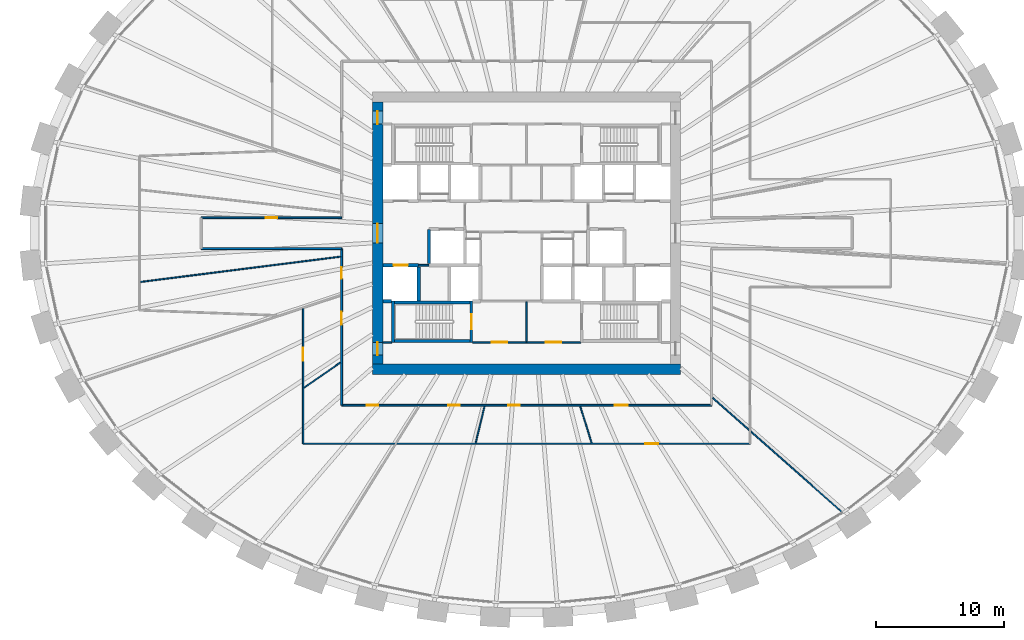
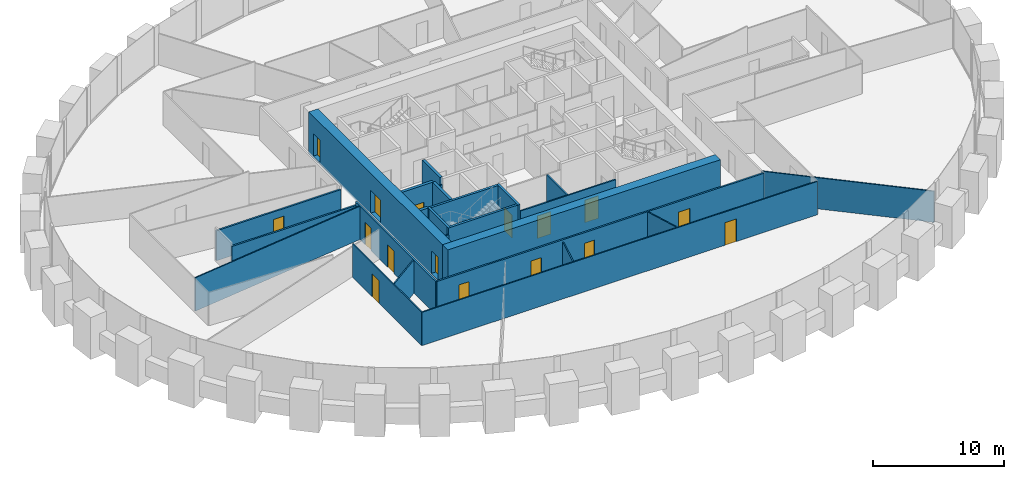
# One storey, part 6 of 11: 25 walls, 16 doors, 16 openings.
"""IFC4 building model written with IfcOpenShell, lengths in metres."""

from ifc_helpers import new_model, si_unit, direction, frame, frame_2d, origin, place, context, subcontext, project, spatial, rectangle, extrude, source, transform, mapped, material, layer, layer_set, type_object, element, fill, save


model = new_model("IFC4")

# Units and contexts
model_context = context("Model", 3, precision=1e-05, world=origin(), true_north=direction((0.0, 1.0)))
body_context = subcontext(model_context, "Body", "Model", "MODEL_VIEW")
ifc_project = project(units=[si_unit("LENGTHUNIT", "METRE"), si_unit("AREAUNIT", "SQUARE_METRE"), si_unit("VOLUMEUNIT", "CUBIC_METRE"), si_unit("PLANEANGLEUNIT", "RADIAN"), si_unit("MASSUNIT", "GRAM", prefix="KILO")], contexts=[model_context])

# Site, building, storey
site_placement = place(None, origin())
site = spatial("IfcSite", under=ifc_project, at=site_placement, CompositionType="ELEMENT")
building_placement = place(site_placement, origin())
building = spatial("IfcBuilding", under=site, at=building_placement, Name="Embergate Tower", CompositionType="ELEMENT")
storey_placement = place(building_placement, frame((0.0, 0.0, 139.800048828125)))
storey = spatial("IfcBuildingStorey", under=building, at=storey_placement, Name="L30", CompositionType="ELEMENT", Elevation=139.800048828125)

# Wall
ifc_material_1 = material(Name="Concrete C70", Category="concrete")
ifc_layer_1 = layer(ifc_material_1, 0.800048828125)
ifc_layer_set_1 = layer_set([ifc_layer_1], Name="Concrete C70")
wall_type_1 = type_object("IfcWallType", Name="Core outer wall C70 800", PredefinedType="SHEAR", material=ifc_layer_set_1)
shared_shape_1 = source(origin(), body_context, "Body", "SweptSolid", [
    extrude(rectangle(XDim=24.0, YDim=0.800048828125, at=frame_2d((12.0, 0.0))), origin(), (0.0, 0.0, 1.0), 3.89990234375),
])
wall_1_placement = place(storey_placement, frame((-12.0, -10.60009765625, -0.199951171875), z_axis=(0.0, 0.0, 1.0), x_axis=(1.0, 0.0, 0.0)))
element("IfcWall", 1, at=wall_1_placement, inside=storey, type_object=wall_type_1, Name="CW-L30-S", PredefinedType="SHEAR", context=body_context, shape_type="MappedRepresentation", body=[
    mapped(shared_shape_1, transform((0.0, 0.0, 0.0))),
])

# Wall, openings, doors
shared_shape_2 = source(origin(), body_context, "Body", "SweptSolid", [
    extrude(rectangle(XDim=20.39990234375, YDim=0.800048828125, at=frame_2d((10.199951171875, 0.0))), origin(), (0.0, 0.0, 1.0), 3.89990234375),
])
wall_2_placement = place(storey_placement, frame((-11.60009765625, -10.199951171875, -0.199951171875), z_axis=(0.0, 0.0, 1.0), x_axis=(0.0, 1.0, 0.0)))
wall_2 = element("IfcWall", 2, at=wall_2_placement, inside=storey, type_object=wall_type_1, Name="CW-L30-W", PredefinedType="SHEAR", context=body_context, shape_type="MappedRepresentation", body=[
    mapped(shared_shape_2, transform((0.0, 0.0, 0.0))),
])
shared_shape_3 = source(origin(), body_context, "Body", "SweptSolid", [
    extrude(rectangle(XDim=1.0, YDim=2.10009765625, at=frame_2d((0.5, 1.050048828125))), frame((0.0, 0.409912109375, 0.0), z_axis=(0.0, -1.0, 0.0), x_axis=(1.0, 0.0, 0.0)), (0.0, 0.0, 1.0), 0.820068359375),
])
opening_1_placement = place(wall_2_placement, frame((18.699951171875, 0.0, 0.199951171875)))
opening_1 = element("IfcOpeningElement", 3, at=opening_1_placement, cuts=wall_2, Name="Opening IF-1d", PredefinedType="OPENING", context=body_context, shape_type="MappedRepresentation", body=[
    mapped(shared_shape_3, transform((0.0, 0.0, 0.0))),
])
opening_2_placement = place(wall_2_placement, frame((0.699951171875, 0.0, 0.199951171875)))
opening_2 = element("IfcOpeningElement", 4, at=opening_2_placement, cuts=wall_2, Name="Opening IF-1d", PredefinedType="OPENING", context=body_context, shape_type="MappedRepresentation", body=[
    mapped(shared_shape_3, transform((0.0, 0.0, 0.0))),
])
shared_shape_4 = source(origin(), body_context, "Body", "SweptSolid", [
    extrude(rectangle(XDim=1.5, YDim=2.10009765625, at=frame_2d((0.75, 1.050048828125))), frame((0.0, 0.409912109375, 0.0), z_axis=(0.0, -1.0, 0.0), x_axis=(1.0, 0.0, 0.0)), (0.0, 0.0, 1.0), 0.820068359375),
])
opening_3_placement = place(wall_2_placement, frame((9.449951171875, 0.0, 0.199951171875)))
opening_3 = element("IfcOpeningElement", 5, at=opening_3_placement, cuts=wall_2, Name="Opening IF-3", PredefinedType="OPENING", context=body_context, shape_type="MappedRepresentation", body=[
    mapped(shared_shape_4, transform((0.0, 0.0, 0.0))),
])
ifc_material_2 = material(Name="Lobby fire door pair 1500")
door_type_1 = type_object("IfcDoorType", Name="Lobby fire door pair 1500", OperationType="DOUBLE_DOOR_SINGLE_SWING", PredefinedType="DOOR", material=ifc_material_2)
shared_shape_5 = source(origin(), body_context, "Body", "SweptSolid", [
    extrude(rectangle(XDim=1.5, YDim=2.10009765625, at=frame_2d((0.75, 1.050048828125))), frame((0.0, 0.02490234375, 0.0), z_axis=(0.0, -1.0, 0.0), x_axis=(1.0, 0.0, 0.0)), (0.0, 0.0, 1.0), 0.050048828125),
])
door_1_placement = place(opening_3_placement, origin())
door_1 = element("IfcDoor", 6, at=door_1_placement, inside=storey, type_object=door_type_1, Name="IF-3 door", OperationType="DOUBLE_DOOR_SINGLE_SWING", OverallHeight=2.10009765625, OverallWidth=1.5, PredefinedType="DOOR", context=body_context, shape_type="MappedRepresentation", body=[
    mapped(shared_shape_5, transform((0.0, 0.0, 0.0))),
])
fill(opening_3, door_1)
ifc_material_3 = material(Name="Escape fire door 1000")
door_type_2 = type_object("IfcDoorType", Name="Escape fire door 1000", OperationType="SINGLE_SWING_LEFT", PredefinedType="DOOR", material=ifc_material_3)
shared_shape_6 = source(origin(), body_context, "Body", "SweptSolid", [
    extrude(rectangle(XDim=1.0, YDim=2.10009765625, at=frame_2d((0.5, 1.050048828125))), frame((0.0, 0.02490234375, 0.0), z_axis=(0.0, -1.0, 0.0), x_axis=(1.0, 0.0, 0.0)), (0.0, 0.0, 1.0), 0.050048828125),
])
door_2_placement = place(opening_1_placement, origin())
door_2 = element("IfcDoor", 7, at=door_2_placement, inside=storey, type_object=door_type_2, Name="IF-1 door", OperationType="SINGLE_SWING_LEFT", OverallHeight=2.10009765625, OverallWidth=1.0, PredefinedType="DOOR", context=body_context, shape_type="MappedRepresentation", body=[
    mapped(shared_shape_6, transform((0.0, 0.0, 0.0))),
])
fill(opening_1, door_2)
door_3_placement = place(opening_2_placement, origin())
door_3 = element("IfcDoor", 8, at=door_3_placement, inside=storey, type_object=door_type_2, Name="IF-1 door", OperationType="SINGLE_SWING_RIGHT", OverallHeight=2.10009765625, OverallWidth=1.0, PredefinedType="DOOR", context=body_context, shape_type="MappedRepresentation", body=[
    mapped(shared_shape_6, transform((0.0, 0.0, 0.0))),
])
fill(opening_2, door_3)

# Walls
ifc_material_4 = material(Name="Concrete C50", Category="concrete")
ifc_layer_2 = layer(ifc_material_4, 0.25)
ifc_layer_set_2 = layer_set([ifc_layer_2], Name="Concrete C50")
wall_type_2 = type_object("IfcWallType", Name="Hoistway wall reinforced concrete 250", PredefinedType="SHEAR", material=ifc_layer_set_2)
shared_shape_7 = source(origin(), body_context, "Body", "SweptSolid", [
    extrude(rectangle(XDim=2.675048828125, YDim=0.25, at=frame_2d((1.33740234375, 0.0))), origin(), (0.0, 0.0, 1.0), 3.699951171875),
])
wall_3_placement = place(storey_placement, frame((-7.60009765625, 0.300048828125, 0.0), z_axis=(0.0, 0.0, 1.0), x_axis=(0.0, -1.0, 0.0)))
element("IfcWall", 9, at=wall_3_placement, inside=storey, type_object=wall_type_2, Name="HW-1 wall", PredefinedType="SHEAR", context=body_context, shape_type="MappedRepresentation", body=[
    mapped(shared_shape_7, transform((0.0, 0.0, 0.0))),
])
ifc_layer_3 = layer(ifc_material_4, 0.199951171875)
ifc_layer_set_3 = layer_set([ifc_layer_3], Name="Concrete C50")
wall_type_3 = type_object("IfcWallType", Name="Stair enclosure wall reinforced concrete 250", PredefinedType="SHEAR", material=ifc_layer_set_3)
shared_shape_8 = source(origin(), body_context, "Body", "SweptSolid", [
    extrude(rectangle(XDim=6.300048828125, YDim=0.199951171875, at=frame_2d((3.14990234375, 0.0))), origin(), (0.0, 0.0, 1.0), 3.699951171875),
])
for number, where, z_axis, x_axis, name in (
    (10, (-10.5, -5.39990234375, 0.0), (0.0, 0.0, 1.0), (1.0, 0.0, 0.0), "SE-1 wall"),
    (11, (-10.5, -8.39990234375, 0.0), (0.0, 0.0, 1.0), (1.0, 0.0, 0.0), "SE-1 wall"),
):
    element("IfcWall", number, at=place(storey_placement, frame(where, z_axis=z_axis, x_axis=x_axis)), inside=storey, type_object=wall_type_3, Name=name, PredefinedType="SHEAR", context=body_context, shape_type="MappedRepresentation", body=[
        mapped(shared_shape_8, transform((0.0, 0.0, 0.0))),
    ])

# Wall, opening, door
shared_shape_9 = source(origin(), body_context, "Body", "SweptSolid", [
    extrude(rectangle(XDim=3.199951171875, YDim=0.199951171875, at=frame_2d((1.60009765625, 0.0))), origin(), (0.0, 0.0, 1.0), 3.699951171875),
])
wall_4_placement = place(storey_placement, frame((-4.300048828125, -8.5, 0.0), z_axis=(0.0, 0.0, 1.0), x_axis=(0.0, 1.0, 0.0)))
wall_4 = element("IfcWall", 12, at=wall_4_placement, inside=storey, type_object=wall_type_3, Name="SE-1 wall", PredefinedType="SHEAR", context=body_context, shape_type="MappedRepresentation", body=[
    mapped(shared_shape_9, transform((0.0, 0.0, 0.0))),
])
shared_shape_10 = source(origin(), body_context, "Body", "SweptSolid", [
    extrude(rectangle(XDim=1.199951171875, YDim=2.10009765625, at=frame_2d((0.60009765625, 1.050048828125))), frame((0.0, 0.10986328125, 0.0), z_axis=(0.0, -1.0, 0.0), x_axis=(1.0, 0.0, 0.0)), (0.0, 0.0, 1.0), 0.219970703125),
])
opening_4_placement = place(wall_4_placement, frame((1.0, 0.0, 0.0)))
opening_4 = element("IfcOpeningElement", 13, at=opening_4_placement, cuts=wall_4, Name="Opening IF-2", PredefinedType="OPENING", context=body_context, shape_type="MappedRepresentation", body=[
    mapped(shared_shape_10, transform((0.0, 0.0, 0.0))),
])
ifc_material_5 = material(Name="Stair enclosure door 1200")
door_type_3 = type_object("IfcDoorType", Name="Stair enclosure door 1200", OperationType="SINGLE_SWING_LEFT", PredefinedType="DOOR", material=ifc_material_5)
shared_shape_11 = source(origin(), body_context, "Body", "SweptSolid", [
    extrude(rectangle(XDim=1.199951171875, YDim=2.10009765625, at=frame_2d((0.60009765625, 1.050048828125))), frame((0.0, 0.02490234375, 0.0), z_axis=(0.0, -1.0, 0.0), x_axis=(1.0, 0.0, 0.0)), (0.0, 0.0, 1.0), 0.050048828125),
])
door_4_placement = place(opening_4_placement, origin())
door_4 = element("IfcDoor", 14, at=door_4_placement, inside=storey, type_object=door_type_3, Name="IF-2 door", OperationType="SINGLE_SWING_RIGHT", OverallHeight=2.10009765625, OverallWidth=1.199951171875, PredefinedType="DOOR", context=body_context, shape_type="MappedRepresentation", body=[
    mapped(shared_shape_11, transform((0.0, 0.0, 0.0))),
])
fill(opening_4, door_4)

# Wall, openings, doors
ifc_material_6 = material(Name="Core partition blockwork 120")
ifc_layer_4 = layer(ifc_material_6, 0.1201171875)
ifc_layer_set_4 = layer_set([ifc_layer_4], Name="Core partition blockwork 120")
wall_type_4 = type_object("IfcWallType", Name="Core partition blockwork 120", PredefinedType="PARTITIONING", material=ifc_layer_set_4)
shared_shape_12 = source(origin(), body_context, "Body", "SweptSolid", [
    extrude(rectangle(XDim=8.39990234375, YDim=0.1201171875, at=frame_2d((4.199951171875, 0.0))), origin(), (0.0, 0.0, 1.0), 3.099853515625),
])
wall_5_placement = place(storey_placement, frame((-4.199951171875, -8.5, 0.0), z_axis=(0.0, 0.0, 1.0), x_axis=(1.0, 0.0, 0.0)))
wall_5 = element("IfcWall", 15, at=wall_5_placement, inside=storey, type_object=wall_type_4, Name="IP-3 wall", PredefinedType="PARTITIONING", context=body_context, shape_type="MappedRepresentation", body=[
    mapped(shared_shape_12, transform((0.0, 0.0, 0.0))),
])
shared_shape_13 = source(origin(), body_context, "Body", "SweptSolid", [
    extrude(rectangle(XDim=1.199951171875, YDim=2.10009765625, at=frame_2d((0.60009765625, 1.050048828125))), frame((0.0, 0.070068359375, 0.0), z_axis=(0.0, -1.0, 0.0), x_axis=(1.0, 0.0, 0.0)), (0.0, 0.0, 1.0), 0.14013671875),
])
opening_5_placement = place(wall_5_placement, frame((1.5, 0.0, 0.0)))
opening_5 = element("IfcOpeningElement", 16, at=opening_5_placement, cuts=wall_5, Name="Opening IF-3f", PredefinedType="OPENING", context=body_context, shape_type="MappedRepresentation", body=[
    mapped(shared_shape_13, transform((0.0, 0.0, 0.0))),
])
opening_6_placement = place(wall_5_placement, frame((5.699951171875, 0.0, 0.0)))
opening_6 = element("IfcOpeningElement", 17, at=opening_6_placement, cuts=wall_5, Name="Opening IF-3f", PredefinedType="OPENING", context=body_context, shape_type="MappedRepresentation", body=[
    mapped(shared_shape_13, transform((0.0, 0.0, 0.0))),
])
ifc_material_7 = material(Name="Lobby fire door pair 1200")
door_type_4 = type_object("IfcDoorType", Name="Lobby fire door pair 1200", OperationType="DOUBLE_DOOR_SINGLE_SWING", PredefinedType="DOOR", material=ifc_material_7)
door_5_placement = place(opening_5_placement, origin())
door_5 = element("IfcDoor", 18, at=door_5_placement, inside=storey, type_object=door_type_4, Name="IF-3 door", OperationType="DOUBLE_DOOR_SINGLE_SWING", OverallHeight=2.10009765625, OverallWidth=1.199951171875, PredefinedType="DOOR", context=body_context, shape_type="MappedRepresentation", body=[
    mapped(shared_shape_11, transform((0.0, 0.0, 0.0))),
])
fill(opening_5, door_5)
door_6_placement = place(opening_6_placement, origin())
door_6 = element("IfcDoor", 19, at=door_6_placement, inside=storey, type_object=door_type_4, Name="IF-3 door", OperationType="DOUBLE_DOOR_SINGLE_SWING", OverallHeight=2.10009765625, OverallWidth=1.199951171875, PredefinedType="DOOR", context=body_context, shape_type="MappedRepresentation", body=[
    mapped(shared_shape_11, transform((0.0, 0.0, 0.0))),
])
fill(opening_6, door_6)

# Wall, opening, door
shared_shape_14 = source(origin(), body_context, "Body", "SweptSolid", [
    extrude(rectangle(XDim=2.800048828125, YDim=0.25, at=frame_2d((1.39990234375, 0.0))), origin(), (0.0, 0.0, 1.0), 3.699951171875),
])
wall_6_placement = place(storey_placement, frame((-8.39990234375, -2.5, 0.0), z_axis=(0.0, 0.0, 1.0), x_axis=(-1.0, 0.0, 0.0)))
wall_6 = element("IfcWall", 20, at=wall_6_placement, inside=storey, type_object=wall_type_2, Name="HW-1 wall", PredefinedType="SHEAR", context=body_context, shape_type="MappedRepresentation", body=[
    mapped(shared_shape_14, transform((0.0, 0.0, 0.0))),
])
shared_shape_15 = source(origin(), body_context, "Body", "SweptSolid", [
    extrude(rectangle(XDim=1.10009765625, YDim=2.10009765625, at=frame_2d((0.550048828125, 1.050048828125))), frame((0.0, 0.135009765625, 0.0), z_axis=(0.0, -1.0, 0.0), x_axis=(1.0, 0.0, 0.0)), (0.0, 0.0, 1.0), 0.27001953125),
])
opening_7_placement = place(wall_6_placement, frame((0.85009765625, 0.0, 0.0)))
opening_7 = element("IfcOpeningElement", 21, at=opening_7_placement, cuts=wall_6, Name="Opening LD", PredefinedType="OPENING", context=body_context, shape_type="MappedRepresentation", body=[
    mapped(shared_shape_15, transform((0.0, 0.0, 0.0))),
])
ifc_material_8 = material(Name="Landing door sliding 1100")
door_type_5 = type_object("IfcDoorType", Name="Landing door sliding 1100", OperationType="SLIDING_TO_LEFT", PredefinedType="DOOR", material=ifc_material_8)
shared_shape_16 = source(origin(), body_context, "Body", "SweptSolid", [
    extrude(rectangle(XDim=1.10009765625, YDim=2.10009765625, at=frame_2d((0.550048828125, 1.050048828125))), frame((0.0, 0.02490234375, 0.0), z_axis=(0.0, -1.0, 0.0), x_axis=(1.0, 0.0, 0.0)), (0.0, 0.0, 1.0), 0.050048828125),
])
door_7_placement = place(opening_7_placement, origin())
door_7 = element("IfcDoor", 22, at=door_7_placement, inside=storey, type_object=door_type_5, Name="LD door", OperationType="SLIDING_TO_RIGHT", OverallHeight=2.10009765625, OverallWidth=1.10009765625, PredefinedType="DOOR", context=body_context, shape_type="MappedRepresentation", body=[
    mapped(shared_shape_16, transform((0.0, 0.0, 0.0))),
])
fill(opening_7, door_7)

# Walls
shared_shape_17 = source(origin(), body_context, "Body", "SweptSolid", [
    extrude(rectangle(XDim=3.196044921875, YDim=0.199951171875, at=frame_2d((1.59814453125, 0.0))), origin(), (0.0, 0.0, 1.0), 3.699951171875),
])
wall_7_placement = place(storey_placement, frame((-10.39990234375, -5.302001953125, 0.0), z_axis=(0.0, 0.0, 1.0), x_axis=(0.0, -1.0, 0.0)))
element("IfcWall", 23, at=wall_7_placement, inside=storey, type_object=wall_type_3, Name="SE-1 wall", PredefinedType="SHEAR", context=body_context, shape_type="MappedRepresentation", body=[
    mapped(shared_shape_17, transform((0.0, 0.0, 0.0))),
])
shared_shape_18 = source(origin(), body_context, "Body", "SweptSolid", [
    extrude(rectangle(XDim=0.697998046875, YDim=0.25, at=frame_2d((0.34912109375, 0.0))), origin(), (0.0, 0.0, 1.0), 3.699951171875),
])
wall_8_placement = place(storey_placement, frame((-11.199951171875, -5.300048828125, 0.0), z_axis=(0.0, 0.0, 1.0), x_axis=(1.0, 0.0, 0.0)))
element("IfcWall", 24, at=wall_8_placement, inside=storey, type_object=wall_type_2, Name="HW-1 wall", PredefinedType="SHEAR", context=body_context, shape_type="MappedRepresentation", body=[
    mapped(shared_shape_18, transform((0.0, 0.0, 0.0))),
])
shared_shape_19 = source(origin(), body_context, "Body", "SweptSolid", [
    extrude(rectangle(XDim=2.671142578125, YDim=0.25, at=frame_2d((1.33544921875, 0.0))), origin(), (0.0, 0.0, 1.0), 3.699951171875),
])
wall_9_placement = place(storey_placement, frame((-8.39990234375, -5.298095703125, 0.0), z_axis=(0.0, 0.0, 1.0), x_axis=(0.0, 1.0, 0.0)))
element("IfcWall", 25, at=wall_9_placement, inside=storey, type_object=wall_type_2, Name="HW-1 wall", PredefinedType="SHEAR", context=body_context, shape_type="MappedRepresentation", body=[
    mapped(shared_shape_19, transform((0.0, 0.0, 0.0))),
])

# Wall, openings, doors
ifc_material_9 = material(Name="Corridor wall dry-lined 150")
ifc_layer_5 = layer(ifc_material_9, 0.14990234375)
ifc_layer_set_5 = layer_set([ifc_layer_5], Name="Corridor wall dry-lined 150")
wall_type_5 = type_object("IfcWallType", Name="Corridor wall dry-lined 150", PredefinedType="PARTITIONING", material=ifc_layer_set_5)
shared_shape_20 = source(origin(), body_context, "Body", "SweptSolid", [
    extrude(rectangle(XDim=12.199951171875, YDim=0.14990234375, at=frame_2d((6.10009765625, 0.0))), origin(), (0.0, 0.0, 1.0), 3.099853515625),
])
wall_10_placement = place(storey_placement, frame((-14.39990234375, -13.39990234375, 0.0), z_axis=(0.0, 0.0, 1.0), x_axis=(0.0, 1.0, 0.0)))
wall_10 = element("IfcWall", 26, at=wall_10_placement, inside=storey, type_object=wall_type_5, Name="IP-2 wall", PredefinedType="PARTITIONING", context=body_context, shape_type="MappedRepresentation", body=[
    mapped(shared_shape_20, transform((0.0, 0.0, 0.0))),
])
shared_shape_21 = source(origin(), body_context, "Body", "SweptSolid", [
    extrude(rectangle(XDim=1.0, YDim=2.10009765625, at=frame_2d((0.5, 1.050048828125))), frame((0.0, 0.0849609375, 0.0), z_axis=(0.0, -1.0, 0.0), x_axis=(1.0, 0.0, 0.0)), (0.0, 0.0, 1.0), 0.169921875),
])
opening_8_placement = place(wall_10_placement, frame((6.282958984375, 0.0, 0.0)))
opening_8 = element("IfcOpeningElement", 27, at=opening_8_placement, cuts=wall_10, Name="Opening ID-2", PredefinedType="OPENING", context=body_context, shape_type="MappedRepresentation", body=[
    mapped(shared_shape_21, transform((0.0, 0.0, 0.0))),
])
shared_shape_22 = source(origin(), body_context, "Body", "SweptSolid", [
    extrude(rectangle(XDim=0.89990234375, YDim=2.10009765625, at=frame_2d((0.449951171875, 1.050048828125))), frame((0.0, 0.0849609375, 0.0), z_axis=(0.0, -1.0, 0.0), x_axis=(1.0, 0.0, 0.0)), (0.0, 0.0, 1.0), 0.169921875),
])
opening_9_placement = place(wall_10_placement, frame((9.843994140625, 0.0, 0.0)))
opening_9 = element("IfcOpeningElement", 28, at=opening_9_placement, cuts=wall_10, Name="Opening IF-1c", PredefinedType="OPENING", context=body_context, shape_type="MappedRepresentation", body=[
    mapped(shared_shape_22, transform((0.0, 0.0, 0.0))),
])
ifc_material_10 = material(Name="Escape fire door 900")
door_type_6 = type_object("IfcDoorType", Name="Escape fire door 900", OperationType="SINGLE_SWING_LEFT", PredefinedType="DOOR", material=ifc_material_10)
shared_shape_23 = source(origin(), body_context, "Body", "SweptSolid", [
    extrude(rectangle(XDim=0.89990234375, YDim=2.10009765625, at=frame_2d((0.449951171875, 1.050048828125))), frame((0.0, 0.02490234375, 0.0), z_axis=(0.0, -1.0, 0.0), x_axis=(1.0, 0.0, 0.0)), (0.0, 0.0, 1.0), 0.050048828125),
])
door_8_placement = place(opening_9_placement, origin())
door_8 = element("IfcDoor", 29, at=door_8_placement, inside=storey, type_object=door_type_6, Name="IF-1 door", OperationType="SINGLE_SWING_RIGHT", OverallHeight=2.10009765625, OverallWidth=0.89990234375, PredefinedType="DOOR", context=body_context, shape_type="MappedRepresentation", body=[
    mapped(shared_shape_23, transform((0.0, 0.0, 0.0))),
])
fill(opening_9, door_8)
ifc_material_11 = material(Name="Interior door 1000")
door_type_7 = type_object("IfcDoorType", Name="Interior door 1000", OperationType="SINGLE_SWING_LEFT", PredefinedType="DOOR", material=ifc_material_11)
door_9_placement = place(opening_8_placement, origin())
door_9 = element("IfcDoor", 30, at=door_9_placement, inside=storey, type_object=door_type_7, Name="ID-2 door", OperationType="SINGLE_SWING_LEFT", OverallHeight=2.10009765625, OverallWidth=1.0, PredefinedType="DOOR", context=body_context, shape_type="MappedRepresentation", body=[
    mapped(shared_shape_6, transform((0.0, 0.0, 0.0))),
])
fill(opening_8, door_9)

shared_shape_24 = source(origin(), body_context, "Body", "SweptSolid", [
    extrude(rectangle(XDim=28.7998046875, YDim=0.14990234375, at=frame_2d((14.39990234375, 0.0))), origin(), (0.0, 0.0, 1.0), 3.099853515625),
])
wall_11_placement = place(storey_placement, frame((14.39990234375, -13.39990234375, 0.0), z_axis=(0.0, 0.0, 1.0), x_axis=(-1.0, 0.0, 0.0)))
wall_11 = element("IfcWall", 31, at=wall_11_placement, inside=storey, type_object=wall_type_5, Name="IP-2 wall", PredefinedType="PARTITIONING", context=body_context, shape_type="MappedRepresentation", body=[
    mapped(shared_shape_24, transform((0.0, 0.0, 0.0))),
])
opening_10_placement = place(wall_11_placement, frame((25.952880859375, 0.0, 0.0)))
opening_10 = element("IfcOpeningElement", 32, at=opening_10_placement, cuts=wall_11, Name="Opening IF-1c", PredefinedType="OPENING", context=body_context, shape_type="MappedRepresentation", body=[
    mapped(shared_shape_22, transform((0.0, 0.0, 0.0))),
])
opening_11_placement = place(wall_11_placement, frame((19.595947265625, 0.0, 0.0)))
opening_11 = element("IfcOpeningElement", 33, at=opening_11_placement, cuts=wall_11, Name="Opening IF-1c", PredefinedType="OPENING", context=body_context, shape_type="MappedRepresentation", body=[
    mapped(shared_shape_22, transform((0.0, 0.0, 0.0))),
])
opening_12_placement = place(wall_11_placement, frame((14.916015625, 0.0, 0.0)))
opening_12 = element("IfcOpeningElement", 34, at=opening_12_placement, cuts=wall_11, Name="Opening IF-1c", PredefinedType="OPENING", context=body_context, shape_type="MappedRepresentation", body=[
    mapped(shared_shape_22, transform((0.0, 0.0, 0.0))),
])
opening_13_placement = place(wall_11_placement, frame((6.52587890625, 0.0, 0.0)))
opening_13 = element("IfcOpeningElement", 35, at=opening_13_placement, cuts=wall_11, Name="Opening ID-2", PredefinedType="OPENING", context=body_context, shape_type="MappedRepresentation", body=[
    mapped(shared_shape_21, transform((0.0, 0.0, 0.0))),
])
door_10_placement = place(opening_10_placement, origin())
door_10 = element("IfcDoor", 36, at=door_10_placement, inside=storey, type_object=door_type_6, Name="IF-1 door", OperationType="SINGLE_SWING_LEFT", OverallHeight=2.10009765625, OverallWidth=0.89990234375, PredefinedType="DOOR", context=body_context, shape_type="MappedRepresentation", body=[
    mapped(shared_shape_23, transform((0.0, 0.0, 0.0))),
])
fill(opening_10, door_10)
door_11_placement = place(opening_11_placement, origin())
door_11 = element("IfcDoor", 37, at=door_11_placement, inside=storey, type_object=door_type_6, Name="IF-1 door", OperationType="SINGLE_SWING_LEFT", OverallHeight=2.10009765625, OverallWidth=0.89990234375, PredefinedType="DOOR", context=body_context, shape_type="MappedRepresentation", body=[
    mapped(shared_shape_23, transform((0.0, 0.0, 0.0))),
])
fill(opening_11, door_11)
door_12_placement = place(opening_12_placement, origin())
door_12 = element("IfcDoor", 38, at=door_12_placement, inside=storey, type_object=door_type_6, Name="IF-1 door", OperationType="SINGLE_SWING_RIGHT", OverallHeight=2.10009765625, OverallWidth=0.89990234375, PredefinedType="DOOR", context=body_context, shape_type="MappedRepresentation", body=[
    mapped(shared_shape_23, transform((0.0, 0.0, 0.0))),
])
fill(opening_12, door_12)
door_13_placement = place(opening_13_placement, origin())
door_13 = element("IfcDoor", 39, at=door_13_placement, inside=storey, type_object=door_type_7, Name="ID-2 door", OperationType="SINGLE_SWING_RIGHT", OverallHeight=2.10009765625, OverallWidth=1.0, PredefinedType="DOOR", context=body_context, shape_type="MappedRepresentation", body=[
    mapped(shared_shape_6, transform((0.0, 0.0, 0.0))),
])
fill(opening_13, door_13)

# Wall
shared_shape_25 = source(origin(), body_context, "Body", "SweptSolid", [
    extrude(rectangle(XDim=10.9501953125, YDim=0.14990234375, at=frame_2d((5.47509765625, 0.0))), origin(), (0.0, 0.0, 1.0), 2.800048828125),
])
wall_12_placement = place(storey_placement, frame((-14.39990234375, -1.199951171875, 0.0), z_axis=(0.0, 0.0, 1.0), x_axis=(-1.0, 0.0, 0.0)))
element("IfcWall", 40, at=wall_12_placement, inside=storey, type_object=wall_type_5, Name="IP-2 wall", PredefinedType="PARTITIONING", context=body_context, shape_type="MappedRepresentation", body=[
    mapped(shared_shape_25, transform((0.0, 0.0, 0.0))),
])

# Wall, opening, door
wall_13_placement = place(storey_placement, frame((-25.35009765625, 1.199951171875, 0.0), z_axis=(0.0, 0.0, 1.0), x_axis=(1.0, 0.0, 0.0)))
wall_13 = element("IfcWall", 41, at=wall_13_placement, inside=storey, type_object=wall_type_5, Name="IP-2 wall", PredefinedType="PARTITIONING", context=body_context, shape_type="MappedRepresentation", body=[
    mapped(shared_shape_25, transform((0.0, 0.0, 0.0))),
])
opening_14_placement = place(wall_13_placement, frame((5.02490234375, 0.0, 0.0)))
opening_14 = element("IfcOpeningElement", 42, at=opening_14_placement, cuts=wall_13, Name="Opening IF-1c", PredefinedType="OPENING", context=body_context, shape_type="MappedRepresentation", body=[
    mapped(shared_shape_22, transform((0.0, 0.0, 0.0))),
])
door_14_placement = place(opening_14_placement, origin())
door_14 = element("IfcDoor", 43, at=door_14_placement, inside=storey, type_object=door_type_6, Name="IF-1 door", OperationType="SINGLE_SWING_RIGHT", OverallHeight=2.10009765625, OverallWidth=0.89990234375, PredefinedType="DOOR", context=body_context, shape_type="MappedRepresentation", body=[
    mapped(shared_shape_23, transform((0.0, 0.0, 0.0))),
])
fill(opening_14, door_14)

# Wall
ifc_material_12 = material(Name="Partition dry-lined 100")
ifc_layer_6 = layer(ifc_material_12, 0.10009765625)
ifc_layer_set_6 = layer_set([ifc_layer_6], Name="Partition dry-lined 100")
wall_type_6 = type_object("IfcWallType", Name="Partition dry-lined 100", PredefinedType="PARTITIONING", material=ifc_layer_set_6)
shared_shape_26 = source(origin(), body_context, "Body", "SweptSolid", [
    extrude(rectangle(XDim=3.432373046875, YDim=0.10009765625, at=frame_2d((1.71630859375, 0.0))), origin(), (0.0, 0.0, 1.0), 3.099853515625),
])
wall_14_placement = place(storey_placement, frame((-14.50390625, -10.077880859375, 0.0), z_axis=(0.0, 0.0, 1.0), x_axis=(-0.821068996607, -0.570828961082, 0.0)))
element("IfcWall", 44, at=wall_14_placement, inside=storey, type_object=wall_type_6, Name="IP-1 wall", PredefinedType="PARTITIONING", context=body_context, shape_type="MappedRepresentation", body=[
    mapped(shared_shape_26, transform((0.0, 0.0, 0.0))),
])

# Wall, opening, door
shared_shape_27 = source(origin(), body_context, "Body", "SweptSolid", [
    extrude(rectangle(XDim=10.518798828125, YDim=0.10009765625, at=frame_2d((5.25927734375, 0.0))), origin(), (0.0, 0.0, 1.0), 3.099853515625),
])
wall_15_placement = place(storey_placement, frame((-17.39990234375, -16.39990234375, 0.0), z_axis=(0.0, 0.0, 1.0), x_axis=(0.0, 1.0, 0.0)))
wall_15 = element("IfcWall", 45, at=wall_15_placement, inside=storey, type_object=wall_type_6, Name="IP-1 wall", PredefinedType="PARTITIONING", context=body_context, shape_type="MappedRepresentation", body=[
    mapped(shared_shape_27, transform((0.0, 0.0, 0.0))),
])
shared_shape_28 = source(origin(), body_context, "Body", "SweptSolid", [
    extrude(rectangle(XDim=1.0, YDim=2.10009765625, at=frame_2d((0.5, 1.050048828125))), frame((0.0, 0.06005859375, 0.0), z_axis=(0.0, -1.0, 0.0), x_axis=(1.0, 0.0, 0.0)), (0.0, 0.0, 1.0), 0.1201171875),
])
opening_15_placement = place(wall_15_placement, frame((6.48095703125, 0.0, 0.0)))
opening_15 = element("IfcOpeningElement", 46, at=opening_15_placement, cuts=wall_15, Name="Opening ID-2", PredefinedType="OPENING", context=body_context, shape_type="MappedRepresentation", body=[
    mapped(shared_shape_28, transform((0.0, 0.0, 0.0))),
])
door_15_placement = place(opening_15_placement, origin())
door_15 = element("IfcDoor", 47, at=door_15_placement, inside=storey, type_object=door_type_7, Name="ID-2 door", OperationType="SINGLE_SWING_LEFT", OverallHeight=2.10009765625, OverallWidth=1.0, PredefinedType="DOOR", context=body_context, shape_type="MappedRepresentation", body=[
    mapped(shared_shape_6, transform((0.0, 0.0, 0.0))),
])
fill(opening_15, door_15)

shared_shape_29 = source(origin(), body_context, "Body", "SweptSolid", [
    extrude(rectangle(XDim=34.7998046875, YDim=0.10009765625, at=frame_2d((17.39990234375, 0.0))), origin(), (0.0, 0.0, 1.0), 3.099853515625),
])
wall_16_placement = place(storey_placement, frame((-17.39990234375, -16.39990234375, 0.0), z_axis=(0.0, 0.0, 1.0), x_axis=(1.0, 0.0, 0.0)))
wall_16 = element("IfcWall", 48, at=wall_16_placement, inside=storey, type_object=wall_type_6, Name="IP-1 wall", PredefinedType="PARTITIONING", context=body_context, shape_type="MappedRepresentation", body=[
    mapped(shared_shape_29, transform((0.0, 0.0, 0.0))),
])
opening_16_placement = place(wall_16_placement, frame((26.64111328125, 0.0, 0.0)))
opening_16 = element("IfcOpeningElement", 49, at=opening_16_placement, cuts=wall_16, Name="Opening ID-2", PredefinedType="OPENING", context=body_context, shape_type="MappedRepresentation", body=[
    mapped(shared_shape_28, transform((0.0, 0.0, 0.0))),
])
door_16_placement = place(opening_16_placement, origin())
door_16 = element("IfcDoor", 50, at=door_16_placement, inside=storey, type_object=door_type_7, Name="ID-2 door", OperationType="SINGLE_SWING_RIGHT", OverallHeight=2.10009765625, OverallWidth=1.0, PredefinedType="DOOR", context=body_context, shape_type="MappedRepresentation", body=[
    mapped(shared_shape_6, transform((0.0, 0.0, 0.0))),
])
fill(opening_16, door_16)

# Walls
shared_shape_30 = source(origin(), body_context, "Body", "SweptSolid", [
    extrude(rectangle(XDim=2.93359375, YDim=0.10009765625, at=frame_2d((1.466796875, 0.0))), origin(), (0.0, 0.0, 1.0), 2.89990234375),
])
wall_17_placement = place(storey_placement, frame((-3.27294921875, -13.487060546875, 0.0), z_axis=(0.0, 0.0, 1.0), x_axis=(-0.235931090882, -0.971769787735, 0.0)))
element("IfcWall", 51, at=wall_17_placement, inside=storey, type_object=wall_type_6, Name="IP-1 wall", PredefinedType="PARTITIONING", context=body_context, shape_type="MappedRepresentation", body=[
    mapped(shared_shape_30, transform((0.0, 0.0, 0.0))),
])
shared_shape_31 = source(origin(), body_context, "Body", "SweptSolid", [
    extrude(rectangle(XDim=2.978515625, YDim=0.10009765625, at=frame_2d((1.4892578125, 0.0))), origin(), (0.0, 0.0, 1.0), 3.099853515625),
])
wall_18_placement = place(storey_placement, frame((4.180908203125, -13.489990234375, 0.0), z_axis=(0.0, 0.0, 1.0), x_axis=(0.296141394979, -0.955144111734, 0.0)))
element("IfcWall", 52, at=wall_18_placement, inside=storey, type_object=wall_type_6, Name="IP-1 wall", PredefinedType="PARTITIONING", context=body_context, shape_type="MappedRepresentation", body=[
    mapped(shared_shape_31, transform((0.0, 0.0, 0.0))),
])
shared_shape_32 = source(origin(), body_context, "Body", "SweptSolid", [
    extrude(rectangle(XDim=13.4716796875, YDim=0.10009765625, at=frame_2d((6.73583984375, 0.0))), origin(), (0.0, 0.0, 1.0), 2.89990234375),
])
wall_19_placement = place(storey_placement, frame((14.508056640625, -12.83203125, 0.0), z_axis=(0.0, 0.0, 1.0), x_axis=(0.749057784808, -0.662504667922, 0.0)))
element("IfcWall", 53, at=wall_19_placement, inside=storey, type_object=wall_type_6, Name="IP-1 wall", PredefinedType="PARTITIONING", context=body_context, shape_type="MappedRepresentation", body=[
    mapped(shared_shape_32, transform((0.0, 0.0, 0.0))),
])
shared_shape_33 = source(origin(), body_context, "Body", "SweptSolid", [
    extrude(rectangle(XDim=15.7373046875, YDim=0.10009765625, at=frame_2d((7.86865234375, 0.0))), origin(), (0.0, 0.0, 1.0), 3.099853515625),
])
wall_20_placement = place(storey_placement, frame((-14.48095703125, -1.830078125, 0.0), z_axis=(0.0, 0.0, 1.0), x_axis=(-0.992110630676, -0.125365451776, 0.0)))
element("IfcWall", 54, at=wall_20_placement, inside=storey, type_object=wall_type_6, Name="IP-1 wall", PredefinedType="PARTITIONING", context=body_context, shape_type="MappedRepresentation", body=[
    mapped(shared_shape_33, transform((0.0, 0.0, 0.0))),
])
shared_shape_34 = source(origin(), body_context, "Body", "SweptSolid", [
    extrude(rectangle(XDim=3.079833984375, YDim=0.1201171875, at=frame_2d((1.5400390625, 0.0))), origin(), (0.0, 0.0, 1.0), 3.099853515625),
])
wall_21_placement = place(storey_placement, frame((0.0, -8.43994140625, 0.0), z_axis=(0.0, 0.0, 1.0), x_axis=(0.0, 1.0, 0.0)))
element("IfcWall", 55, at=wall_21_placement, inside=storey, type_object=wall_type_4, Name="IP-3 wall", PredefinedType="PARTITIONING", context=body_context, shape_type="MappedRepresentation", body=[
    mapped(shared_shape_34, transform((0.0, 0.0, 0.0))),
])
shared_shape_35 = source(origin(), body_context, "Body", "SweptSolid", [
    extrude(rectangle(XDim=0.7958984375, YDim=0.1201171875, at=frame_2d((0.39794921875, 0.0))), origin(), (0.0, 0.0, 1.0), 3.099853515625),
])
wall_22_placement = place(storey_placement, frame((-8.39794921875, -2.5, 0.0), z_axis=(0.0, 0.0, 1.0), x_axis=(1.0, 0.0, 0.0)))
element("IfcWall", 56, at=wall_22_placement, inside=storey, type_object=wall_type_4, Name="IP-3 wall", PredefinedType="PARTITIONING", context=body_context, shape_type="MappedRepresentation", body=[
    mapped(shared_shape_35, transform((0.0, 0.0, 0.0))),
])
shared_shape_36 = source(origin(), body_context, "Body", "SweptSolid", [
    extrude(rectangle(XDim=0.697998046875, YDim=0.1201171875, at=frame_2d((0.34912109375, 0.0))), origin(), (0.0, 0.0, 1.0), 3.099853515625),
])
wall_23_placement = place(storey_placement, frame((-10.501953125, -8.5, 0.0), z_axis=(0.0, 0.0, 1.0), x_axis=(-1.0, 0.0, 0.0)))
element("IfcWall", 57, at=wall_23_placement, inside=storey, type_object=wall_type_4, Name="IP-3 wall", PredefinedType="PARTITIONING", context=body_context, shape_type="MappedRepresentation", body=[
    mapped(shared_shape_36, transform((0.0, 0.0, 0.0))),
])

save(model, "model.ifc")
